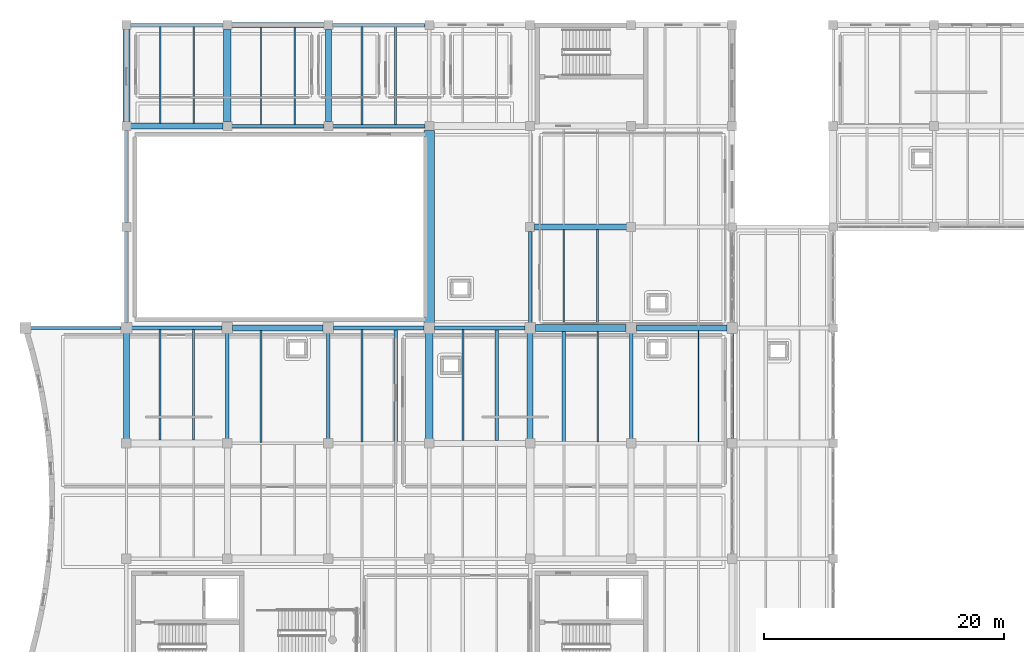
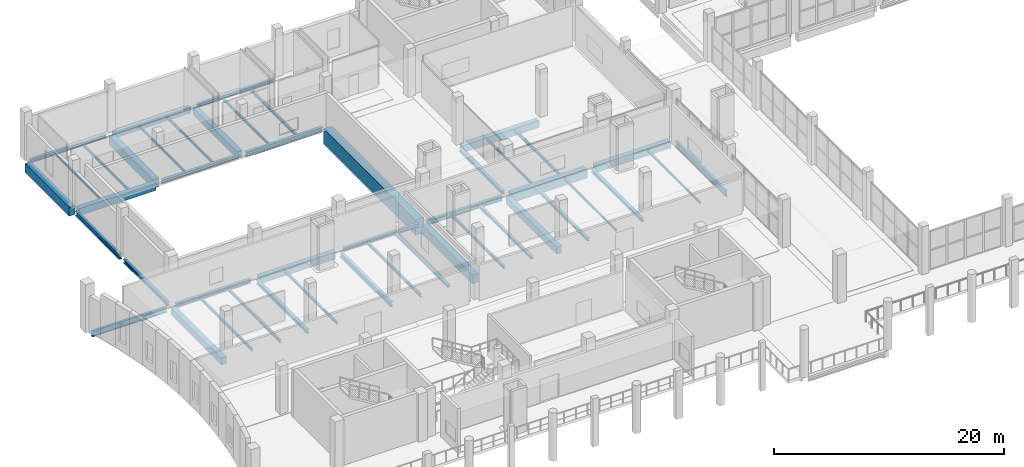
# One storey, part 6 of 66: 46 beams.
"""IFC4 building model written with IfcOpenShell, lengths in metres."""

from ifc_helpers import new_model, si_unit, direction, frame, origin, origin_2d, place, context, subcontext, project, spatial, rectangle, i_section, extrude, material, material_profile, profile_set, type_object, element, save


model = new_model("IFC4")

# Units and contexts
model_context = context("Model", 3, precision=1e-05, world=origin(), true_north=direction((0.0, 1.0)))
body_context = subcontext(model_context, "Body", "Model", "MODEL_VIEW")
ifc_project = project(units=[si_unit("LENGTHUNIT", "METRE"), si_unit("AREAUNIT", "SQUARE_METRE"), si_unit("VOLUMEUNIT", "CUBIC_METRE"), si_unit("PLANEANGLEUNIT", "RADIAN"), si_unit("MASSUNIT", "GRAM", prefix="KILO")], contexts=[model_context])

# Site, building, storey
site_placement = place(None, origin())
site = spatial("IfcSite", under=ifc_project, at=site_placement, CompositionType="ELEMENT")
building_placement = place(site_placement, origin())
building = spatial("IfcBuilding", under=site, at=building_placement, Name="Zulmaris Art Gallery", CompositionType="ELEMENT")
storey_placement = place(building_placement, frame((0.0, 0.0, 5.39990234375)))
storey = spatial("IfcBuildingStorey", under=building, at=storey_placement, Name="L01", CompositionType="ELEMENT", Elevation=5.39990234375)

# Beams
ifc_material_1 = material(Name="Steel S355J2", Category="steel")
ifc_material_profile_1 = material_profile(ifc_material_1, i_section(OverallWidth=0.219970703125, OverallDepth=0.60009765625, WebThickness=0.011962890625, FlangeThickness=0.01904296875, FilletRadius=0.02392578125, at=origin_2d()), Name="IPE 600")
ifc_profile_set_1 = profile_set([ifc_material_profile_1], Name="Steel S355J2")
beam_type_1 = type_object("IfcBeamType", Name="BEAM-BM07", PredefinedType="BEAM", material=ifc_profile_set_1)
beam_1_placement = place(storey_placement, frame((24.43505859375, 50.39990234375, -0.6298828125), z_axis=(1.0, 0.0, 0.0), x_axis=(0.0, 1.0, 0.0)))
element("IfcBeam", 1, at=beam_1_placement, inside=storey, type_object=beam_type_1, Name="L01 X-girder (24.0..32.4, y=50.4)", PredefinedType="BEAM", context=body_context, shape_type="SweptSolid", body=[
    extrude(i_section(OverallWidth=0.219970703125, OverallDepth=0.60009765625, WebThickness=0.011962890625, FlangeThickness=0.01904296875, FilletRadius=0.02392578125, at=origin_2d()), origin(), (0.0, 0.0, 1.0), 7.530029296875),
])
beam_2_placement = place(storey_placement, frame((82.800048828125, 41.18505859375, -0.6298828125), z_axis=(0.0, 1.0, 0.0), x_axis=(-1.0, 0.0, 0.0)))
element("IfcBeam", 2, at=beam_2_placement, inside=storey, type_object=beam_type_1, Name="L01 Y-girder (x=82.8, 40.8..50.4)", PredefinedType="BEAM", context=body_context, shape_type="SweptSolid", body=[
    extrude(i_section(OverallWidth=0.219970703125, OverallDepth=0.60009765625, WebThickness=0.011962890625, FlangeThickness=0.01904296875, FilletRadius=0.02392578125, at=origin_2d()), origin(), (0.0, 0.0, 1.0), 8.780029296875),
])
ifc_material_profile_2 = material_profile(ifc_material_1, i_section(OverallWidth=0.300048828125, OverallDepth=0.330078125, WebThickness=0.009521484375, FlangeThickness=0.0166015625, FilletRadius=0.027099609375, at=origin_2d()), Name="HEA 340")
ifc_profile_set_2 = profile_set([ifc_material_profile_2], Name="Steel S355J2")
beam_type_2 = type_object("IfcBeamType", Name="BEAM-BM08", PredefinedType="BEAM", material=ifc_profile_set_2)
beam_3_placement = place(storey_placement, frame((66.0, 50.8349609375, -0.494873046875), z_axis=(0.0, 1.0, 0.0), x_axis=(-1.0, 0.0, 0.0)))
element("IfcBeam", 3, at=beam_3_placement, inside=storey, type_object=beam_type_2, Name="L01 Y-girder (x=66.0, 50.4..58.8)", PredefinedType="BEAM", context=body_context, shape_type="SweptSolid", body=[
    extrude(i_section(OverallWidth=0.300048828125, OverallDepth=0.330078125, WebThickness=0.009521484375, FlangeThickness=0.0166015625, FilletRadius=0.027099609375, at=origin_2d()), origin(), (0.0, 0.0, 1.0), 7.60498046875),
])
beam_4_placement = place(storey_placement, frame((74.39990234375, 41.18505859375, -0.494873046875), z_axis=(0.0, 1.0, 0.0), x_axis=(-1.0, 0.0, 0.0)))
element("IfcBeam", 4, at=beam_4_placement, inside=storey, type_object=beam_type_2, Name="L01 Y-girder (x=74.4, 40.8..50.4)", PredefinedType="BEAM", context=body_context, shape_type="SweptSolid", body=[
    extrude(i_section(OverallWidth=0.300048828125, OverallDepth=0.330078125, WebThickness=0.009521484375, FlangeThickness=0.0166015625, FilletRadius=0.027099609375, at=origin_2d()), origin(), (0.0, 0.0, 1.0), 8.780029296875),
])
ifc_material_profile_3 = material_profile(ifc_material_1, i_section(OverallWidth=0.300048828125, OverallDepth=0.389892578125, WebThickness=0.010986328125, FlangeThickness=0.01904296875, FilletRadius=0.027099609375, at=origin_2d()), Name="HEA 400")
ifc_profile_set_3 = profile_set([ifc_material_profile_3], Name="Steel S355J2")
beam_type_3 = type_object("IfcBeamType", Name="BEAM-BM09", PredefinedType="BEAM", material=ifc_profile_set_3)
beam_5_placement = place(storey_placement, frame((49.635009765625, 50.39990234375, -0.52490234375), z_axis=(1.0, 0.0, 0.0), x_axis=(0.0, 1.0, 0.0)))
element("IfcBeam", 5, at=beam_5_placement, inside=storey, type_object=beam_type_3, Name="L01 X-girder (49.2..57.6, y=50.4)", PredefinedType="BEAM", context=body_context, shape_type="SweptSolid", body=[
    extrude(i_section(OverallWidth=0.300048828125, OverallDepth=0.389892578125, WebThickness=0.010986328125, FlangeThickness=0.01904296875, FilletRadius=0.027099609375, at=origin_2d()), origin(), (0.0, 0.0, 1.0), 7.530029296875),
])
beam_6_placement = place(storey_placement, frame((41.159912109375, 67.199951171875, -0.52490234375), z_axis=(1.0, 0.0, 0.0), x_axis=(0.0, 1.0, 0.0)))
element("IfcBeam", 6, at=beam_6_placement, inside=storey, type_object=beam_type_3, Name="L01 X-girder (40.8..49.2, y=67.2)", PredefinedType="BEAM", context=body_context, shape_type="SweptSolid", body=[
    extrude(i_section(OverallWidth=0.300048828125, OverallDepth=0.389892578125, WebThickness=0.010986328125, FlangeThickness=0.01904296875, FilletRadius=0.027099609375, at=origin_2d()), origin(), (0.0, 0.0, 1.0), 7.68017578125),
])
beam_7_placement = place(storey_placement, frame((32.39990234375, 50.8349609375, -0.52490234375), z_axis=(0.0, 1.0, 0.0), x_axis=(-1.0, 0.0, 0.0)))
element("IfcBeam", 7, at=beam_7_placement, inside=storey, type_object=beam_type_3, Name="L01 Y-girder (x=32.4, 50.4..58.8)", PredefinedType="BEAM", context=body_context, shape_type="SweptSolid", body=[
    extrude(i_section(OverallWidth=0.300048828125, OverallDepth=0.389892578125, WebThickness=0.010986328125, FlangeThickness=0.01904296875, FilletRadius=0.027099609375, at=origin_2d()), origin(), (0.0, 0.0, 1.0), 7.60498046875),
])
beam_8_placement = place(storey_placement, frame((40.800048828125, 41.18505859375, -0.52490234375), z_axis=(0.0, 1.0, 0.0), x_axis=(-1.0, 0.0, 0.0)))
element("IfcBeam", 8, at=beam_8_placement, inside=storey, type_object=beam_type_3, Name="L01 Y-girder (x=40.8, 40.8..50.4)", PredefinedType="BEAM", context=body_context, shape_type="SweptSolid", body=[
    extrude(i_section(OverallWidth=0.300048828125, OverallDepth=0.389892578125, WebThickness=0.010986328125, FlangeThickness=0.01904296875, FilletRadius=0.027099609375, at=origin_2d()), origin(), (0.0, 0.0, 1.0), 8.780029296875),
])
ifc_material_profile_4 = material_profile(ifc_material_1, i_section(OverallWidth=0.300048828125, OverallDepth=0.449951171875, WebThickness=0.013916015625, FlangeThickness=0.02587890625, FilletRadius=0.027099609375, at=origin_2d()), Name="HEB 450")
ifc_profile_set_4 = profile_set([ifc_material_profile_4], Name="Steel S355J2")
beam_type_4 = type_object("IfcBeamType", Name="BEAM-BM13", PredefinedType="BEAM", material=ifc_profile_set_4)
beam_9_placement = place(storey_placement, frame((32.8349609375, 50.39990234375, -0.554931640625), z_axis=(1.0, 0.0, 0.0), x_axis=(0.0, 1.0, 0.0)))
element("IfcBeam", 9, at=beam_9_placement, inside=storey, type_object=beam_type_4, Name="L01 X-girder (32.4..40.8, y=50.4)", PredefinedType="BEAM", context=body_context, shape_type="SweptSolid", body=[
    extrude(i_section(OverallWidth=0.300048828125, OverallDepth=0.449951171875, WebThickness=0.013916015625, FlangeThickness=0.02587890625, FilletRadius=0.027099609375, at=origin_2d()), origin(), (0.0, 0.0, 1.0), 7.530029296875),
])
ifc_material_profile_5 = material_profile(ifc_material_1, i_section(OverallWidth=0.300048828125, OverallDepth=0.5, WebThickness=0.014404296875, FlangeThickness=0.028076171875, FilletRadius=0.027099609375, at=origin_2d()), Name="HEB 500")
ifc_profile_set_5 = profile_set([ifc_material_profile_5], Name="Steel S355J2")
beam_type_5 = type_object("IfcBeamType", Name="BEAM-BM14", PredefinedType="BEAM", material=ifc_profile_set_5)
beam_10_placement = place(storey_placement, frame((58.034912109375, 50.39990234375, -0.579833984375), z_axis=(1.0, 0.0, 0.0), x_axis=(0.0, 1.0, 0.0)))
element("IfcBeam", 10, at=beam_10_placement, inside=storey, type_object=beam_type_5, Name="L01 X-girder (57.6..66.0, y=50.4)", PredefinedType="BEAM", context=body_context, shape_type="SweptSolid", body=[
    extrude(i_section(OverallWidth=0.300048828125, OverallDepth=0.5, WebThickness=0.014404296875, FlangeThickness=0.028076171875, FilletRadius=0.027099609375, at=origin_2d()), origin(), (0.0, 0.0, 1.0), 7.530029296875),
])
beam_11_placement = place(storey_placement, frame((49.56005859375, 67.199951171875, -0.579833984375), z_axis=(1.0, 0.0, 0.0), x_axis=(0.0, 1.0, 0.0)))
element("IfcBeam", 11, at=beam_11_placement, inside=storey, type_object=beam_type_5, Name="L01 X-girder (49.2..57.6, y=67.2)", PredefinedType="BEAM", context=body_context, shape_type="SweptSolid", body=[
    extrude(i_section(OverallWidth=0.300048828125, OverallDepth=0.5, WebThickness=0.014404296875, FlangeThickness=0.028076171875, FilletRadius=0.027099609375, at=origin_2d()), origin(), (0.0, 0.0, 1.0), 7.679931640625),
])
beam_12_placement = place(storey_placement, frame((32.39990234375, 59.159912109375, -0.579833984375), z_axis=(0.0, 1.0, 0.0), x_axis=(-1.0, 0.0, 0.0)))
element("IfcBeam", 12, at=beam_12_placement, inside=storey, type_object=beam_type_5, Name="L01 Y-girder (x=32.4, 58.8..67.2)", PredefinedType="BEAM", context=body_context, shape_type="SweptSolid", body=[
    extrude(i_section(OverallWidth=0.300048828125, OverallDepth=0.5, WebThickness=0.014404296875, FlangeThickness=0.028076171875, FilletRadius=0.027099609375, at=origin_2d()), origin(), (0.0, 0.0, 1.0), 7.68017578125),
])
beam_13_placement = place(storey_placement, frame((49.199951171875, 41.18505859375, -0.579833984375), z_axis=(0.0, 1.0, 0.0), x_axis=(-1.0, 0.0, 0.0)))
element("IfcBeam", 13, at=beam_13_placement, inside=storey, type_object=beam_type_5, Name="L01 Y-girder (x=49.2, 40.8..50.4)", PredefinedType="BEAM", context=body_context, shape_type="SweptSolid", body=[
    extrude(i_section(OverallWidth=0.300048828125, OverallDepth=0.5, WebThickness=0.014404296875, FlangeThickness=0.028076171875, FilletRadius=0.027099609375, at=origin_2d()), origin(), (0.0, 0.0, 1.0), 8.780029296875),
])
ifc_material_2 = material(Name="Concrete C40/50", Category="concrete")
ifc_material_profile_6 = material_profile(ifc_material_2, rectangle(XDim=0.5, YDim=0.75, at=origin_2d()), Name="RC 500x750")
ifc_profile_set_6 = profile_set([ifc_material_profile_6], Name="Concrete C40/50")
beam_type_6 = type_object("IfcBeamType", Name="BEAM-BM20", PredefinedType="BEAM", material=ifc_profile_set_6)
beam_14_placement = place(storey_placement, frame((41.235107421875, 50.39990234375, -0.704833984375), z_axis=(1.0, 0.0, 0.0), x_axis=(0.0, 1.0, 0.0)))
element("IfcBeam", 14, at=beam_14_placement, inside=storey, type_object=beam_type_6, Name="L01 X-girder (40.8..49.2, y=50.4)", PredefinedType="BEAM", context=body_context, shape_type="SweptSolid", body=[
    extrude(rectangle(XDim=0.5, YDim=0.75, at=origin_2d()), origin(), (0.0, 0.0, 1.0), 7.52978515625),
])
beam_15_placement = place(storey_placement, frame((74.8349609375, 50.39990234375, -0.704833984375), z_axis=(1.0, 0.0, 0.0), x_axis=(0.0, 1.0, 0.0)))
element("IfcBeam", 15, at=beam_15_placement, inside=storey, type_object=beam_type_6, Name="L01 X-girder (74.4..82.8, y=50.4)", PredefinedType="BEAM", context=body_context, shape_type="SweptSolid", body=[
    extrude(rectangle(XDim=0.5, YDim=0.75, at=origin_2d()), origin(), (0.0, 0.0, 1.0), 7.530029296875),
])
for number, where, z_axis, x_axis, name in (
    (16, (66.360107421875, 58.800048828125, -0.704833984375), (1.0, 0.0, 0.0), (0.0, 1.0, 0.0), "L01 X-girder (66.0..74.4, y=58.8)"),
    (17, (32.760009765625, 67.199951171875, -0.704833984375), (1.0, 0.0, 0.0), (0.0, 1.0, 0.0), "L01 X-girder (32.4..40.8, y=67.2)"),
):
    element("IfcBeam", number, at=place(storey_placement, frame(where, z_axis=z_axis, x_axis=x_axis)), inside=storey, type_object=beam_type_6, Name=name, PredefinedType="BEAM", context=body_context, shape_type="SweptSolid", body=[
        extrude(rectangle(XDim=0.5, YDim=0.75, at=origin_2d()), origin(), (0.0, 0.0, 1.0), 7.679931640625),
    ])
beam_16_placement = place(storey_placement, frame((32.39990234375, 41.18505859375, -0.704833984375), z_axis=(0.0, 1.0, 0.0), x_axis=(-1.0, 0.0, 0.0)))
element("IfcBeam", 18, at=beam_16_placement, inside=storey, type_object=beam_type_6, Name="L01 Y-girder (x=32.4, 40.8..50.4)", PredefinedType="BEAM", context=body_context, shape_type="SweptSolid", body=[
    extrude(rectangle(XDim=0.5, YDim=0.75, at=origin_2d()), origin(), (0.0, 0.0, 1.0), 8.780029296875),
])
beam_17_placement = place(storey_placement, frame((49.199951171875, 67.56005859375, -0.704833984375), z_axis=(0.0, 1.0, 0.0), x_axis=(-1.0, 0.0, 0.0)))
element("IfcBeam", 19, at=beam_17_placement, inside=storey, type_object=beam_type_6, Name="L01 Y-girder (x=49.2, 67.2..75.6)", PredefinedType="BEAM", context=body_context, shape_type="SweptSolid", body=[
    extrude(rectangle(XDim=0.5, YDim=0.75, at=origin_2d()), origin(), (0.0, 0.0, 1.0), 7.679931640625),
])
beam_18_placement = place(storey_placement, frame((66.0, 41.18505859375, -0.704833984375), z_axis=(0.0, 1.0, 0.0), x_axis=(-1.0, 0.0, 0.0)))
element("IfcBeam", 20, at=beam_18_placement, inside=storey, type_object=beam_type_6, Name="L01 Y-girder (x=66.0, 40.8..50.4)", PredefinedType="BEAM", context=body_context, shape_type="SweptSolid", body=[
    extrude(rectangle(XDim=0.5, YDim=0.75, at=origin_2d()), origin(), (0.0, 0.0, 1.0), 8.780029296875),
])
ifc_material_profile_7 = material_profile(ifc_material_2, rectangle(XDim=0.60009765625, YDim=0.949951171875, at=origin_2d()), Name="RC 600x950")
ifc_profile_set_7 = profile_set([ifc_material_profile_7], Name="Concrete C40/50")
beam_type_7 = type_object("IfcBeamType", Name="BEAM-BM22", PredefinedType="BEAM", material=ifc_profile_set_7)
beam_19_placement = place(storey_placement, frame((66.43505859375, 50.39990234375, -0.804931640625), z_axis=(1.0, 0.0, 0.0), x_axis=(0.0, 1.0, 0.0)))
element("IfcBeam", 21, at=beam_19_placement, inside=storey, type_object=beam_type_7, Name="L01 X-girder (66.0..74.4, y=50.4)", PredefinedType="BEAM", context=body_context, shape_type="SweptSolid", body=[
    extrude(rectangle(XDim=0.60009765625, YDim=0.949951171875, at=origin_2d()), origin(), (0.0, 0.0, 1.0), 7.530029296875),
])
for number, where, z_axis, x_axis, name in (
    (22, (32.39990234375, 67.56005859375, -0.804931640625), (0.0, 1.0, 0.0), (-1.0, 0.0, 0.0), "L01 Y-girder (x=32.4, 67.2..75.6)"),
    (23, (40.800048828125, 67.56005859375, -0.804931640625), (0.0, 1.0, 0.0), (-1.0, 0.0, 0.0), "L01 Y-girder (x=40.8, 67.2..75.6)"),
):
    element("IfcBeam", number, at=place(storey_placement, frame(where, z_axis=z_axis, x_axis=x_axis)), inside=storey, type_object=beam_type_7, Name=name, PredefinedType="BEAM", context=body_context, shape_type="SweptSolid", body=[
        extrude(rectangle(XDim=0.60009765625, YDim=0.949951171875, at=origin_2d()), origin(), (0.0, 0.0, 1.0), 7.679931640625),
    ])
beam_20_placement = place(storey_placement, frame((57.60009765625, 41.18505859375, -0.804931640625), z_axis=(0.0, 1.0, 0.0), x_axis=(-1.0, 0.0, 0.0)))
element("IfcBeam", 24, at=beam_20_placement, inside=storey, type_object=beam_type_7, Name="L01 Y-girder (x=57.6, 40.8..50.4)", PredefinedType="BEAM", context=body_context, shape_type="SweptSolid", body=[
    extrude(rectangle(XDim=0.60009765625, YDim=0.949951171875, at=origin_2d()), origin(), (0.0, 0.0, 1.0), 8.780029296875),
])
ifc_material_3 = material(Name="Concrete C50/60", Category="concrete")
ifc_material_profile_8 = material_profile(ifc_material_3, rectangle(XDim=0.85009765625, YDim=1.60009765625, at=origin_2d()), Name="RC 850x1600")
ifc_profile_set_8 = profile_set([ifc_material_profile_8], Name="Concrete C50/60")
beam_type_8 = type_object("IfcBeamType", Name="BEAM-BM29", PredefinedType="BEAM", material=ifc_profile_set_8)
beam_21_placement = place(storey_placement, frame((57.60009765625, 50.8349609375, -1.1298828125), z_axis=(0.0, 1.0, 0.0), x_axis=(-1.0, 0.0, 0.0)))
element("IfcBeam", 25, at=beam_21_placement, inside=storey, type_object=beam_type_8, Name="L01 Y-girder (x=57.6, 50.4..67.2)", PredefinedType="BEAM", context=body_context, shape_type="SweptSolid", body=[
    extrude(rectangle(XDim=0.85009765625, YDim=1.60009765625, at=origin_2d()), origin(), (0.0, 0.0, 1.0), 16.005126953125),
])
ifc_material_profile_9 = material_profile(ifc_material_1, i_section(OverallWidth=0.1201171875, OverallDepth=0.239990234375, WebThickness=0.006103515625, FlangeThickness=0.009765625, FilletRadius=0.014892578125, at=origin_2d()), Name="IPE 240")
ifc_profile_set_9 = profile_set([ifc_material_profile_9], Name="Steel S355J2")
beam_type_9 = type_object("IfcBeamType", Name="BEAM-JS01", PredefinedType="JOIST", material=ifc_profile_set_9)
beam_22_placement = place(storey_placement, frame((35.199951171875, 67.425048828125, -0.449951171875), z_axis=(0.0, 1.0, 0.0), x_axis=(-1.0, 0.0, 0.0)))
element("IfcBeam", 26, at=beam_22_placement, inside=storey, type_object=beam_type_9, Name="L01 secondary joist at x=35.2", PredefinedType="JOIST", context=body_context, shape_type="SweptSolid", body=[
    extrude(i_section(OverallWidth=0.1201171875, OverallDepth=0.239990234375, WebThickness=0.006103515625, FlangeThickness=0.009765625, FilletRadius=0.014892578125, at=origin_2d()), origin(), (0.0, 0.0, 1.0), 8.050048828125),
])
beam_23_placement = place(storey_placement, frame((43.60009765625, 67.324951171875, -0.449951171875), z_axis=(0.0, 1.0, 0.0), x_axis=(-1.0, 0.0, 0.0)))
element("IfcBeam", 27, at=beam_23_placement, inside=storey, type_object=beam_type_9, Name="L01 secondary joist at x=43.6", PredefinedType="JOIST", context=body_context, shape_type="SweptSolid", body=[
    extrude(i_section(OverallWidth=0.1201171875, OverallDepth=0.239990234375, WebThickness=0.006103515625, FlangeThickness=0.009765625, FilletRadius=0.014892578125, at=origin_2d()), origin(), (0.0, 0.0, 1.0), 8.10009765625),
])
beam_24_placement = place(storey_placement, frame((71.60009765625, 40.925048828125, -0.449951171875), z_axis=(0.0, 1.0, 0.0), x_axis=(-1.0, 0.0, 0.0)))
element("IfcBeam", 28, at=beam_24_placement, inside=storey, type_object=beam_type_9, Name="L01 secondary joist at x=71.6", PredefinedType="JOIST", context=body_context, shape_type="SweptSolid", body=[
    extrude(i_section(OverallWidth=0.1201171875, OverallDepth=0.239990234375, WebThickness=0.006103515625, FlangeThickness=0.009765625, FilletRadius=0.014892578125, at=origin_2d()), origin(), (0.0, 0.0, 1.0), 9.199951171875),
])
beam_25_placement = place(storey_placement, frame((80.0, 40.925048828125, -0.449951171875), z_axis=(0.0, 1.0, 0.0), x_axis=(-1.0, 0.0, 0.0)))
element("IfcBeam", 29, at=beam_25_placement, inside=storey, type_object=beam_type_9, Name="L01 secondary joist at x=80.0", PredefinedType="JOIST", context=body_context, shape_type="SweptSolid", body=[
    extrude(i_section(OverallWidth=0.1201171875, OverallDepth=0.239990234375, WebThickness=0.006103515625, FlangeThickness=0.009765625, FilletRadius=0.014892578125, at=origin_2d()), origin(), (0.0, 0.0, 1.0), 9.25),
])
ifc_material_profile_10 = material_profile(ifc_material_1, i_section(OverallWidth=0.135009765625, OverallDepth=0.27001953125, WebThickness=0.006591796875, FlangeThickness=0.01025390625, FilletRadius=0.014892578125, at=origin_2d()), Name="IPE 270")
ifc_profile_set_10 = profile_set([ifc_material_profile_10], Name="Steel S355J2")
beam_type_10 = type_object("IfcBeamType", Name="BEAM-JS02", PredefinedType="JOIST", material=ifc_profile_set_10)
beam_26_placement = place(storey_placement, frame((35.199951171875, 41.074951171875, -0.46484375), z_axis=(0.0, 1.0, 0.0), x_axis=(-1.0, 0.0, 0.0)))
element("IfcBeam", 30, at=beam_26_placement, inside=storey, type_object=beam_type_10, Name="L01 secondary joist at x=35.2", PredefinedType="JOIST", context=body_context, shape_type="SweptSolid", body=[
    extrude(i_section(OverallWidth=0.135009765625, OverallDepth=0.27001953125, WebThickness=0.006591796875, FlangeThickness=0.01025390625, FilletRadius=0.014892578125, at=origin_2d()), origin(), (0.0, 0.0, 1.0), 9.199951171875),
])
beam_27_placement = place(storey_placement, frame((38.0, 67.425048828125, -0.46484375), z_axis=(0.0, 1.0, 0.0), x_axis=(-1.0, 0.0, 0.0)))
element("IfcBeam", 31, at=beam_27_placement, inside=storey, type_object=beam_type_10, Name="L01 secondary joist at x=38.0", PredefinedType="JOIST", context=body_context, shape_type="SweptSolid", body=[
    extrude(i_section(OverallWidth=0.135009765625, OverallDepth=0.27001953125, WebThickness=0.006591796875, FlangeThickness=0.01025390625, FilletRadius=0.014892578125, at=origin_2d()), origin(), (0.0, 0.0, 1.0), 8.050048828125),
])
beam_28_placement = place(storey_placement, frame((43.60009765625, 40.885009765625, -0.46484375), z_axis=(0.0, 1.0, 0.0), x_axis=(-1.0, 0.0, 0.0)))
element("IfcBeam", 32, at=beam_28_placement, inside=storey, type_object=beam_type_10, Name="L01 secondary joist at x=43.6", PredefinedType="JOIST", context=body_context, shape_type="SweptSolid", body=[
    extrude(i_section(OverallWidth=0.135009765625, OverallDepth=0.27001953125, WebThickness=0.006591796875, FlangeThickness=0.01025390625, FilletRadius=0.014892578125, at=origin_2d()), origin(), (0.0, 0.0, 1.0), 9.2900390625),
])
beam_29_placement = place(storey_placement, frame((46.39990234375, 67.324951171875, -0.46484375), z_axis=(0.0, 1.0, 0.0), x_axis=(-1.0, 0.0, 0.0)))
element("IfcBeam", 33, at=beam_29_placement, inside=storey, type_object=beam_type_10, Name="L01 secondary joist at x=46.4", PredefinedType="JOIST", context=body_context, shape_type="SweptSolid", body=[
    extrude(i_section(OverallWidth=0.135009765625, OverallDepth=0.27001953125, WebThickness=0.006591796875, FlangeThickness=0.01025390625, FilletRadius=0.014892578125, at=origin_2d()), origin(), (0.0, 0.0, 1.0), 8.10009765625),
])
beam_30_placement = place(storey_placement, frame((52.0, 67.324951171875, -0.46484375), z_axis=(0.0, 1.0, 0.0), x_axis=(-1.0, 0.0, 0.0)))
element("IfcBeam", 34, at=beam_30_placement, inside=storey, type_object=beam_type_10, Name="L01 secondary joist at x=52.0", PredefinedType="JOIST", context=body_context, shape_type="SweptSolid", body=[
    extrude(i_section(OverallWidth=0.135009765625, OverallDepth=0.27001953125, WebThickness=0.006591796875, FlangeThickness=0.01025390625, FilletRadius=0.014892578125, at=origin_2d()), origin(), (0.0, 0.0, 1.0), 8.150146484375),
])
beam_31_placement = place(storey_placement, frame((68.800048828125, 50.675048828125, -0.46484375), z_axis=(0.0, 1.0, 0.0), x_axis=(-1.0, 0.0, 0.0)))
element("IfcBeam", 35, at=beam_31_placement, inside=storey, type_object=beam_type_10, Name="L01 secondary joist at x=68.8", PredefinedType="JOIST", context=body_context, shape_type="SweptSolid", body=[
    extrude(i_section(OverallWidth=0.135009765625, OverallDepth=0.27001953125, WebThickness=0.006591796875, FlangeThickness=0.01025390625, FilletRadius=0.014892578125, at=origin_2d()), origin(), (0.0, 0.0, 1.0), 7.89990234375),
])
ifc_material_profile_11 = material_profile(ifc_material_1, i_section(OverallWidth=0.159912109375, OverallDepth=0.330078125, WebThickness=0.007568359375, FlangeThickness=0.011474609375, FilletRadius=0.01806640625, at=origin_2d()), Name="IPE 330")
ifc_profile_set_11 = profile_set([ifc_material_profile_11], Name="Steel S355J2")
beam_type_11 = type_object("IfcBeamType", Name="BEAM-JS03", PredefinedType="JOIST", material=ifc_profile_set_11)
beam_32_placement = place(storey_placement, frame((38.0, 41.074951171875, -0.494873046875), z_axis=(0.0, 1.0, 0.0), x_axis=(-1.0, 0.0, 0.0)))
element("IfcBeam", 36, at=beam_32_placement, inside=storey, type_object=beam_type_11, Name="L01 secondary joist at x=38.0", PredefinedType="JOIST", context=body_context, shape_type="SweptSolid", body=[
    extrude(i_section(OverallWidth=0.159912109375, OverallDepth=0.330078125, WebThickness=0.007568359375, FlangeThickness=0.011474609375, FilletRadius=0.01806640625, at=origin_2d()), origin(), (0.0, 0.0, 1.0), 9.199951171875),
])
beam_33_placement = place(storey_placement, frame((52.0, 40.925048828125, -0.494873046875), z_axis=(0.0, 1.0, 0.0), x_axis=(-1.0, 0.0, 0.0)))
element("IfcBeam", 37, at=beam_33_placement, inside=storey, type_object=beam_type_11, Name="L01 secondary joist at x=52.0", PredefinedType="JOIST", context=body_context, shape_type="SweptSolid", body=[
    extrude(i_section(OverallWidth=0.159912109375, OverallDepth=0.330078125, WebThickness=0.007568359375, FlangeThickness=0.011474609375, FilletRadius=0.01806640625, at=origin_2d()), origin(), (0.0, 0.0, 1.0), 9.349853515625),
])
beam_34_placement = place(storey_placement, frame((54.800048828125, 67.324951171875, -0.494873046875), z_axis=(0.0, 1.0, 0.0), x_axis=(-1.0, 0.0, 0.0)))
element("IfcBeam", 38, at=beam_34_placement, inside=storey, type_object=beam_type_11, Name="L01 secondary joist at x=54.8", PredefinedType="JOIST", context=body_context, shape_type="SweptSolid", body=[
    extrude(i_section(OverallWidth=0.159912109375, OverallDepth=0.330078125, WebThickness=0.007568359375, FlangeThickness=0.011474609375, FilletRadius=0.01806640625, at=origin_2d()), origin(), (0.0, 0.0, 1.0), 8.150146484375),
])
beam_35_placement = place(storey_placement, frame((60.39990234375, 41.02490234375, -0.494873046875), z_axis=(0.0, 1.0, 0.0), x_axis=(-1.0, 0.0, 0.0)))
element("IfcBeam", 39, at=beam_35_placement, inside=storey, type_object=beam_type_11, Name="L01 secondary joist at x=60.4", PredefinedType="JOIST", context=body_context, shape_type="SweptSolid", body=[
    extrude(i_section(OverallWidth=0.159912109375, OverallDepth=0.330078125, WebThickness=0.007568359375, FlangeThickness=0.011474609375, FilletRadius=0.01806640625, at=origin_2d()), origin(), (0.0, 0.0, 1.0), 9.25),
])
beam_36_placement = place(storey_placement, frame((71.60009765625, 50.675048828125, -0.494873046875), z_axis=(0.0, 1.0, 0.0), x_axis=(-1.0, 0.0, 0.0)))
element("IfcBeam", 40, at=beam_36_placement, inside=storey, type_object=beam_type_11, Name="L01 secondary joist at x=71.6", PredefinedType="JOIST", context=body_context, shape_type="SweptSolid", body=[
    extrude(i_section(OverallWidth=0.159912109375, OverallDepth=0.330078125, WebThickness=0.007568359375, FlangeThickness=0.011474609375, FilletRadius=0.01806640625, at=origin_2d()), origin(), (0.0, 0.0, 1.0), 7.89990234375),
])
ifc_material_profile_12 = material_profile(ifc_material_1, i_section(OverallWidth=0.280029296875, OverallDepth=0.27001953125, WebThickness=0.008056640625, FlangeThickness=0.012939453125, FilletRadius=0.02392578125, at=origin_2d()), Name="HEA 280")
ifc_profile_set_12 = profile_set([ifc_material_profile_12], Name="Steel S355J2")
beam_type_12 = type_object("IfcBeamType", Name="BEAM-JS04", PredefinedType="JOIST", material=ifc_profile_set_12)
beam_37_placement = place(storey_placement, frame((54.800048828125, 40.925048828125, -0.46484375), z_axis=(0.0, 1.0, 0.0), x_axis=(-1.0, 0.0, 0.0)))
element("IfcBeam", 41, at=beam_37_placement, inside=storey, type_object=beam_type_12, Name="L01 secondary joist at x=54.8", PredefinedType="JOIST", context=body_context, shape_type="SweptSolid", body=[
    extrude(i_section(OverallWidth=0.280029296875, OverallDepth=0.27001953125, WebThickness=0.008056640625, FlangeThickness=0.012939453125, FilletRadius=0.02392578125, at=origin_2d()), origin(), (0.0, 0.0, 1.0), 9.349853515625),
])
beam_38_placement = place(storey_placement, frame((63.199951171875, 41.02490234375, -0.46484375), z_axis=(0.0, 1.0, 0.0), x_axis=(-1.0, 0.0, 0.0)))
element("IfcBeam", 42, at=beam_38_placement, inside=storey, type_object=beam_type_12, Name="L01 secondary joist at x=63.2", PredefinedType="JOIST", context=body_context, shape_type="SweptSolid", body=[
    extrude(i_section(OverallWidth=0.280029296875, OverallDepth=0.27001953125, WebThickness=0.008056640625, FlangeThickness=0.012939453125, FilletRadius=0.02392578125, at=origin_2d()), origin(), (0.0, 0.0, 1.0), 9.25),
])
beam_39_placement = place(storey_placement, frame((68.800048828125, 40.925048828125, -0.46484375), z_axis=(0.0, 1.0, 0.0), x_axis=(-1.0, 0.0, 0.0)))
element("IfcBeam", 43, at=beam_39_placement, inside=storey, type_object=beam_type_12, Name="L01 secondary joist at x=68.8", PredefinedType="JOIST", context=body_context, shape_type="SweptSolid", body=[
    extrude(i_section(OverallWidth=0.280029296875, OverallDepth=0.27001953125, WebThickness=0.008056640625, FlangeThickness=0.012939453125, FilletRadius=0.02392578125, at=origin_2d()), origin(), (0.0, 0.0, 1.0), 9.199951171875),
])
ifc_material_profile_13 = material_profile(ifc_material_1, i_section(OverallWidth=0.300048828125, OverallDepth=0.35009765625, WebThickness=0.010009765625, FlangeThickness=0.017578125, FilletRadius=0.027099609375, at=origin_2d()), Name="HEA 360")
ifc_profile_set_13 = profile_set([ifc_material_profile_13], Name="Steel S355J2")
beam_type_13 = type_object("IfcBeamType", Name="BEAM-SP01", PredefinedType="SPANDREL", material=ifc_profile_set_13)
for number, where, z_axis, x_axis, name in (
    (44, (32.760009765625, 75.60009765625, -0.5048828125), (1.0, 0.0, 0.0), (0.0, 1.0, 0.0), "L01 X-girder (32.4..40.8, y=75.6)"),
    (45, (49.56005859375, 75.60009765625, -0.5048828125), (1.0, 0.0, 0.0), (0.0, 1.0, 0.0), "L01 X-girder (49.2..57.6, y=75.6)"),
):
    element("IfcBeam", number, at=place(storey_placement, frame(where, z_axis=z_axis, x_axis=x_axis)), inside=storey, type_object=beam_type_13, Name=name, PredefinedType="SPANDREL", context=body_context, shape_type="SweptSolid", body=[
        extrude(i_section(OverallWidth=0.300048828125, OverallDepth=0.35009765625, WebThickness=0.010009765625, FlangeThickness=0.017578125, FilletRadius=0.027099609375, at=origin_2d()), origin(), (0.0, 0.0, 1.0), 7.679931640625),
    ])
ifc_material_profile_14 = material_profile(ifc_material_2, rectangle(XDim=0.39990234375, YDim=0.60009765625, at=origin_2d()), Name="RC 400x600")
ifc_profile_set_14 = profile_set([ifc_material_profile_14], Name="Concrete C40/50")
beam_type_14 = type_object("IfcBeamType", Name="BEAM-SP03", PredefinedType="SPANDREL", material=ifc_profile_set_14)
beam_40_placement = place(storey_placement, frame((41.159912109375, 75.60009765625, -0.6298828125), z_axis=(1.0, 0.0, 0.0), x_axis=(0.0, 1.0, 0.0)))
element("IfcBeam", 46, at=beam_40_placement, inside=storey, type_object=beam_type_14, Name="L01 X-girder (40.8..49.2, y=75.6)", PredefinedType="SPANDREL", context=body_context, shape_type="SweptSolid", body=[
    extrude(rectangle(XDim=0.39990234375, YDim=0.60009765625, at=origin_2d()), origin(), (0.0, 0.0, 1.0), 7.68017578125),
])

save(model, "model.ifc")
